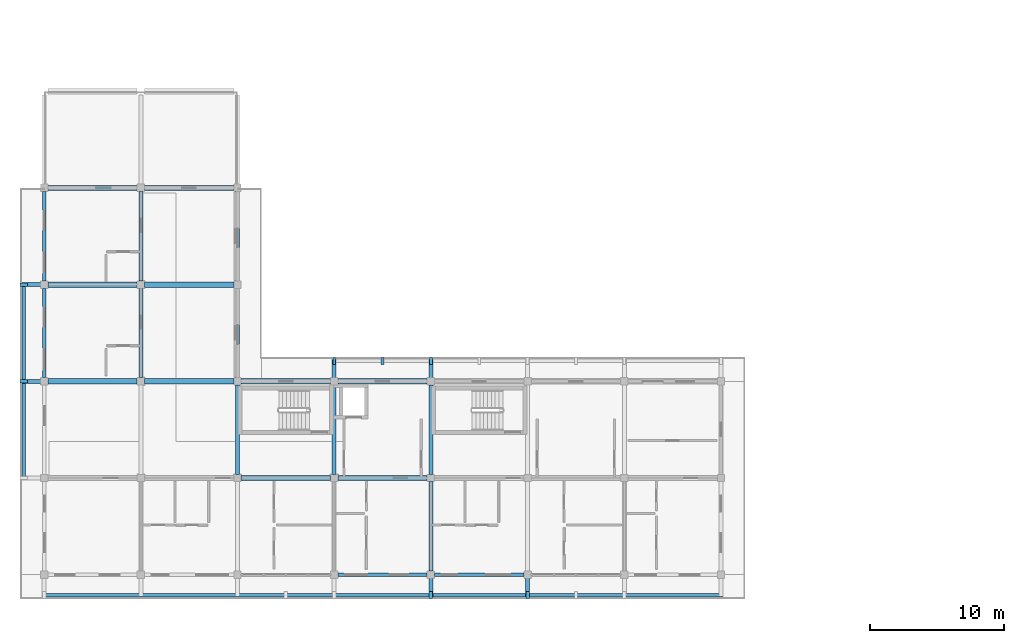
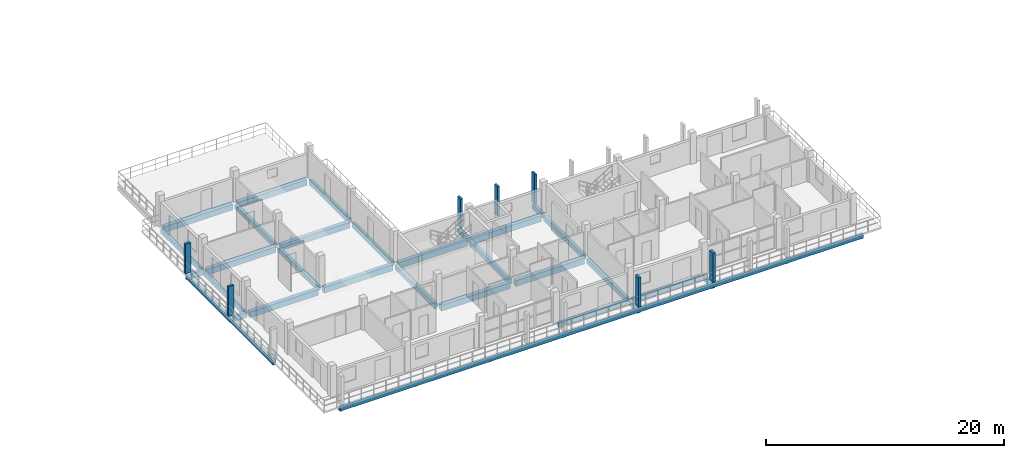
# One storey, part 5 of 67: 30 beams, 7 members.
"""IFC4 building model written with IfcOpenShell, lengths in metres."""

import ifcopenshell
import ifcopenshell.guid

model = None  # the IFC model being written
_history = None  # IfcOwnerHistory: only IFC2X3 demands one
_inside = {}  # id of a spatial element -> (the spatial element, [elements in it])
_under = {}  # id of a project, library or spatial element -> (it, [spatial elements below it])
_declared = {}  # id of a project -> (the project, [libraries it declares])
_typed = {}  # id of a type object -> (the type object, [elements of that type])
_made_of = {}  # id of a material, layer set ... -> (it, [elements and type objects made of it])


def new_model(schema):
    """Start an empty IFC model of exactly this schema.

    Asked for "IFC4X3", IfcOpenShell would pick the latest addendum, in which some entities
    have other attributes; the version numbers below select the first issue.
    IFC2X3 requires an IfcOwnerHistory on every rooted entity: one is made here for all.
    """
    global model, _history
    if schema == "IFC4X3":
        model = ifcopenshell.file(schema_version=(4, 3, 0, 0))
    else:
        model = ifcopenshell.file(schema=schema)
    _inside.clear()
    _under.clear()
    _declared.clear()
    _typed.clear()
    _made_of.clear()
    _history = None
    if model.schema == "IFC2X3":
        org = make("IfcOrganization", Name="unknown")
        user = make(
            "IfcPersonAndOrganization",
            ThePerson=make("IfcPerson", FamilyName="unknown"),
            TheOrganization=org,
        )
        app = make(
            "IfcApplication",
            ApplicationDeveloper=org,
            Version="unknown",
            ApplicationFullName="unknown",
            ApplicationIdentifier="unknown",
        )
        _history = make(
            "IfcOwnerHistory",
            OwningUser=user,
            OwningApplication=app,
            ChangeAction="ADDED",
            CreationDate=0,
        )
    return model


def make(cls, **values):
    """One entity of the class cls with the attributes given. An attribute that is None is left unset."""
    return model.create_entity(
        cls, **{name: value for name, value in values.items() if value is not None}
    )


def rooted(cls, **values):
    """An entity with a GlobalId (a new one), such as an element, a storey or a relation."""
    return make(cls, GlobalId=ifcopenshell.guid.new(), OwnerHistory=_history, **values)


def si_unit(unit_type, name, prefix=None):
    """IfcSIUnit, for example si_unit("LENGTHUNIT", "METRE", prefix="MILLI")."""
    return make("IfcSIUnit", UnitType=unit_type, Prefix=prefix, Name=name)


def assignment(units):
    """IfcUnitAssignment: the units of a project."""
    return None if units is None else make("IfcUnitAssignment", Units=units)


def point(xyz):
    """IfcCartesianPoint."""
    return None if xyz is None else make("IfcCartesianPoint", Coordinates=xyz)


def direction(xyz):
    """IfcDirection."""
    return None if xyz is None else make("IfcDirection", DirectionRatios=xyz)


def frame(location, z_axis=None, x_axis=None):
    """IfcAxis2Placement3D, a coordinate frame: its origin and axes. An axis left out is left unset."""
    return make(
        "IfcAxis2Placement3D",
        Location=point(location),
        Axis=direction(z_axis),
        RefDirection=direction(x_axis),
    )


def frame_2d(location, x_axis=None):
    """IfcAxis2Placement2D, a coordinate frame in the plane: its origin and x axis."""
    return make(
        "IfcAxis2Placement2D", Location=point(location), RefDirection=direction(x_axis)
    )


def origin():
    """The frame at (0, 0, 0) with its axes left unset."""
    return frame((0.0, 0.0, 0.0))


def origin_2d():
    """The frame at (0, 0) in the plane with its x axis left unset."""
    return frame_2d((0.0, 0.0))


def place(relative_to, where):
    """IfcLocalPlacement: puts the frame where relative to a parent placement (None: the world)."""
    return make(
        "IfcLocalPlacement", PlacementRelTo=relative_to, RelativePlacement=where
    )


def context(
    kind, dimensions, precision=None, world=None, true_north=None, identifier=None
):
    """IfcGeometricRepresentationContext, for example the 3D "Model" context."""
    return make(
        "IfcGeometricRepresentationContext",
        ContextIdentifier=identifier,
        ContextType=kind,
        CoordinateSpaceDimension=dimensions,
        Precision=precision,
        WorldCoordinateSystem=world,
        TrueNorth=true_north,
    )


def subcontext(parent, identifier, kind, view, scale=None):
    """IfcGeometricRepresentationSubContext, for example "Body" below "Model"."""
    return make(
        "IfcGeometricRepresentationSubContext",
        ContextIdentifier=identifier,
        ContextType=kind,
        ParentContext=parent,
        TargetScale=scale,
        TargetView=view,
    )


def project(units=None, contexts=None):
    """IfcProject with its units and contexts."""
    return rooted(
        "IfcProject",
        Name="project",
        RepresentationContexts=contexts,
        UnitsInContext=assignment(units),
    )


def spatial(cls, under=None, at=None, **own):
    """A site, building, storey or space (cls), placed at a placement, below another one or the project."""
    s = rooted(cls, ObjectPlacement=at, **own)
    if under is not None:
        _under.setdefault(under.id(), (under, []))[1].append(s)
    return s


def profile(cls, at=None, kind="AREA", **sizes):
    """A parametric profile (cls). Its sizes go by their IFC names, for example OverallWidth=200.0."""
    return make(cls, ProfileType=kind, Position=at, **sizes)


def rectangle(**sizes):
    """IfcRectangleProfileDef."""
    return profile("IfcRectangleProfileDef", **sizes)


def extrude(swept, where, along, depth):
    """IfcExtrudedAreaSolid: the profile swept, set in the frame where, extruded along a direction by depth."""
    return make(
        "IfcExtrudedAreaSolid",
        SweptArea=swept,
        Position=where,
        ExtrudedDirection=direction(along),
        Depth=depth,
    )


def shape(context_of_items, identifier, shape_type, items):
    """IfcShapeRepresentation: the items that make up one representation, for example the "Body"."""
    return make(
        "IfcShapeRepresentation",
        ContextOfItems=context_of_items,
        RepresentationIdentifier=identifier,
        RepresentationType=shape_type,
        Items=items,
    )


def material(Name=None, Category=None):
    """IfcMaterial."""
    return make("IfcMaterial", Name=Name, Category=Category)


def material_profile(
    of_material, cross_section, Name=None, Category=None, Priority=None
):
    """IfcMaterialProfile: a cross section and its material."""
    return make(
        "IfcMaterialProfile",
        Name=Name,
        Material=of_material,
        Profile=cross_section,
        Priority=Priority,
        Category=Category,
    )


def profile_set(profiles, Name=None, composite=None):
    """IfcMaterialProfileSet."""
    return make(
        "IfcMaterialProfileSet",
        Name=Name,
        MaterialProfiles=profiles,
        CompositeProfile=composite,
    )


def made_of(thing, what):
    """Note that an element or type object is made of a material, layer set ...; save() writes the relation."""
    if what is not None:
        _made_of.setdefault(what.id(), (what, []))[1].append(thing)
    return thing


def type_object(cls, material=None, **own):
    """A type object (cls), such as IfcWallType, which elements share."""
    return made_of(rooted(cls, **own), material)


def element(
    cls,
    number,
    at=None,
    inside=None,
    cuts=None,
    type_object=None,
    material=None,
    context=None,
    identifier="Body",
    shape_type=None,
    held_by="IfcProductDefinitionShape",
    body=None,
    shapes=None,
    **own,
):
    """One element of the class cls, such as IfcWall. Its Tag is "e" and its number.

    at: its placement. inside: the storey or other place that contains it. cuts: it is an
    opening in that element (IfcRelVoidsElement). A single representation is given by context,
    identifier, shape_type and body (its items); several are given by shapes. held_by: the class
    of the entity that holds the representations. save() writes the other relations.
    """
    e = rooted(cls, Tag="e%d" % number, ObjectPlacement=at, **own)
    if body is not None:
        shapes = [shape(context, identifier, shape_type, body)]
    if shapes is not None:
        e.Representation = make(held_by, Representations=shapes)
    if inside is not None:
        _inside.setdefault(inside.id(), (inside, []))[1].append(e)
    if cuts is not None:
        rooted(
            "IfcRelVoidsElement", RelatingBuildingElement=cuts, RelatedOpeningElement=e
        )
    if type_object is not None:
        _typed.setdefault(type_object.id(), (type_object, []))[1].append(e)
    return made_of(e, material)


def aggregate(whole, parts):
    """IfcRelAggregates: a whole, such as a stair, and the parts it consists of."""
    return rooted("IfcRelAggregates", RelatingObject=whole, RelatedObjects=parts)


def save(model, path):
    """Write the relations noted so far, then the file.

    IfcRelAggregates (storeys below a building ...), IfcRelContainedInSpatialStructure (elements
    in a storey), IfcRelDefinesByType, IfcRelAssociatesMaterial and IfcRelDeclares: one each for
    every whole, place, type object, material and project.
    """
    for whole, parts in _under.values():
        aggregate(whole, parts)
    for where, things in _inside.values():
        rooted(
            "IfcRelContainedInSpatialStructure",
            RelatedElements=things,
            RelatingStructure=where,
        )
    for kind, things in _typed.values():
        rooted("IfcRelDefinesByType", RelatedObjects=things, RelatingType=kind)
    for what, things in _made_of.values():
        rooted("IfcRelAssociatesMaterial", RelatedObjects=things, RelatingMaterial=what)
    for by, libraries in _declared.values():
        rooted("IfcRelDeclares", RelatingContext=by, RelatedDefinitions=libraries)
    model.write(path)


model = new_model("IFC4")

# Units and contexts
model_context = context("Model", 3, precision=1e-05, world=origin(), true_north=direction((0.0, 1.0)))
body_context = subcontext(model_context, "Body", "Model", "MODEL_VIEW")
ifc_project = project(units=[si_unit("LENGTHUNIT", "METRE"), si_unit("AREAUNIT", "SQUARE_METRE"), si_unit("VOLUMEUNIT", "CUBIC_METRE"), si_unit("PLANEANGLEUNIT", "RADIAN"), si_unit("MASSUNIT", "GRAM", prefix="KILO")], contexts=[model_context])

# Site, building, storey
site_placement = place(None, origin())
site = spatial("IfcSite", under=ifc_project, at=site_placement, CompositionType="ELEMENT")
building_placement = place(site_placement, origin())
building = spatial("IfcBuilding", under=site, at=building_placement, Name="Suanplinth Sawtooth Commons", CompositionType="ELEMENT")
storey_placement = place(building_placement, frame((0.0, 0.0, 25.10009765625)))
storey = spatial("IfcBuildingStorey", under=building, at=storey_placement, Name="L07", CompositionType="ELEMENT", Elevation=25.10009765625)

# Beams
ifc_material_1 = material(Name="Precast concrete C40/50", Category="concrete")
ifc_material_profile_1 = material_profile(ifc_material_1, rectangle(XDim=0.39990234375, YDim=0.60009765625, at=origin_2d()), Name="PC-GDR 400x600")
ifc_profile_set_1 = profile_set([ifc_material_profile_1], Name="Precast concrete C40/50")
beam_type_1 = type_object("IfcBeamType", Name="B-05", PredefinedType="USERDEFINED", material=ifc_profile_set_1)
for number, where, z_axis, x_axis, name in (
    (1, (0.27490234375, 14.39990234375, -0.52001953125), (1.0, 0.0, 0.0), (0.0, 1.0, 0.0), "BMX-L07-D-0-2"),
    (2, (0.27490234375, 21.60009765625, -0.52001953125), (1.0, 0.0, 0.0), (0.0, 1.0, 0.0), "BMX-L07-D-0-3"),
    (3, (0.27490234375, 28.800048828125, -0.52001953125), (1.0, 0.0, 0.0), (0.0, 1.0, 0.0), "BMX-L07-D-0-4"),
):
    element("IfcBeam", number, at=place(storey_placement, frame(where, z_axis=z_axis, x_axis=x_axis)), inside=storey, type_object=beam_type_1, Name=name, ObjectType="GIRDER", PredefinedType="USERDEFINED", context=body_context, shape_type="SweptSolid", body=[
        extrude(rectangle(XDim=0.39990234375, YDim=0.60009765625, at=origin_2d()), origin(), (0.0, 0.0, 1.0), 6.650146484375),
    ])
for number, where, z_axis, x_axis, name in (
    (4, (7.47509765625, 14.39990234375, -0.52001953125), (1.0, 0.0, 0.0), (0.0, 1.0, 0.0), "BMX-L07-D-1-2"),
    (5, (7.47509765625, 21.60009765625, -0.52001953125), (1.0, 0.0, 0.0), (0.0, 1.0, 0.0), "BMX-L07-D-1-3"),
    (6, (7.47509765625, 28.800048828125, -0.52001953125), (1.0, 0.0, 0.0), (0.0, 1.0, 0.0), "BMX-L07-D-1-4"),
    (7, (14.675048828125, 7.199951171875, -0.52001953125), (1.0, 0.0, 0.0), (0.0, 1.0, 0.0), "BMX-L07-D-2-1"),
    (8, (14.675048828125, 14.39990234375, -0.52001953125), (1.0, 0.0, 0.0), (0.0, 1.0, 0.0), "BMX-L07-D-2-2"),
    (9, (21.875, 7.199951171875, -0.52001953125), (1.0, 0.0, 0.0), (0.0, 1.0, 0.0), "BMX-L07-D-3-1"),
    (10, (21.875, 14.39990234375, -0.52001953125), (1.0, 0.0, 0.0), (0.0, 1.0, 0.0), "BMX-L07-D-3-2"),
):
    element("IfcBeam", number, at=place(storey_placement, frame(where, z_axis=z_axis, x_axis=x_axis)), inside=storey, type_object=beam_type_1, Name=name, ObjectType="GIRDER", PredefinedType="USERDEFINED", context=body_context, shape_type="SweptSolid", body=[
        extrude(rectangle(XDim=0.39990234375, YDim=0.60009765625, at=origin_2d()), origin(), (0.0, 0.0, 1.0), 6.64990234375),
    ])
ifc_material_profile_2 = material_profile(ifc_material_1, rectangle(XDim=0.300048828125, YDim=0.5, at=origin_2d()), Name="PC-BM 300x500")
ifc_profile_set_2 = profile_set([ifc_material_profile_2], Name="Precast concrete C40/50")
beam_type_2 = type_object("IfcBeamType", Name="B-07", PredefinedType="BEAM", material=ifc_profile_set_2)
for number, where, z_axis, x_axis, name in (
    (11, (7.199951171875, 14.675048828125, -0.47021484375), (0.0, 1.0, 0.0), (-1.0, 0.0, 0.0), "BMY-L07-D-1-2"),
    (12, (7.199951171875, 21.875, -0.47021484375), (0.0, 1.0, 0.0), (-1.0, 0.0, 0.0), "BMY-L07-D-1-3"),
    (13, (14.39990234375, 7.47509765625, -0.47021484375), (0.0, 1.0, 0.0), (-1.0, 0.0, 0.0), "BMY-L07-D-2-1"),
    (14, (14.39990234375, 14.675048828125, -0.47021484375), (0.0, 1.0, 0.0), (-1.0, 0.0, 0.0), "BMY-L07-D-2-2"),
    (15, (14.39990234375, 21.875, -0.47021484375), (0.0, 1.0, 0.0), (-1.0, 0.0, 0.0), "BMY-L07-D-2-3"),
    (16, (21.60009765625, 7.47509765625, -0.47021484375), (0.0, 1.0, 0.0), (-1.0, 0.0, 0.0), "BMY-L07-D-3-1"),
):
    element("IfcBeam", number, at=place(storey_placement, frame(where, z_axis=z_axis, x_axis=x_axis)), inside=storey, type_object=beam_type_2, Name=name, PredefinedType="BEAM", context=body_context, shape_type="SweptSolid", body=[
        extrude(rectangle(XDim=0.300048828125, YDim=0.5, at=origin_2d()), origin(), (0.0, 0.0, 1.0), 6.64990234375),
    ])
beam_1_placement = place(storey_placement, frame((28.800048828125, 0.27490234375, -0.47021484375), z_axis=(0.0, 1.0, 0.0), x_axis=(-1.0, 0.0, 0.0)))
element("IfcBeam", 17, at=beam_1_placement, inside=storey, type_object=beam_type_2, Name="BMY-L07-D-4-0", PredefinedType="BEAM", context=body_context, shape_type="SweptSolid", body=[
    extrude(rectangle(XDim=0.300048828125, YDim=0.5, at=origin_2d()), origin(), (0.0, 0.0, 1.0), 6.650146484375),
])
beam_2_placement = place(storey_placement, frame((28.800048828125, 7.47509765625, -0.47021484375), z_axis=(0.0, 1.0, 0.0), x_axis=(-1.0, 0.0, 0.0)))
element("IfcBeam", 18, at=beam_2_placement, inside=storey, type_object=beam_type_2, Name="BMY-L07-D-4-1", PredefinedType="BEAM", context=body_context, shape_type="SweptSolid", body=[
    extrude(rectangle(XDim=0.300048828125, YDim=0.5, at=origin_2d()), origin(), (0.0, 0.0, 1.0), 6.64990234375),
])
for number, where, z_axis, x_axis, name in (
    (19, (28.800048828125, 0.0, -0.43017578125), (0.0, -1.0, 0.0), (1.0, 0.0, 0.0), "Balcony Outrigger L07-D-S-4"),
    (20, (36.0, 0.0, -0.43017578125), (0.0, -1.0, 0.0), (1.0, 0.0, 0.0), "Balcony Outrigger L07-D-S-5"),
    (21, (0.0, 14.39990234375, -0.43017578125), (-1.0, 0.0, 0.0), (0.0, -1.0, 0.0), "Balcony Outrigger L07-D-W-2"),
    (22, (0.0, 21.60009765625, -0.43017578125), (-1.0, 0.0, 0.0), (0.0, -1.0, 0.0), "Balcony Outrigger L07-D-W-3"),
):
    element("IfcBeam", number, at=place(storey_placement, frame(where, z_axis=z_axis, x_axis=x_axis)), inside=storey, type_object=beam_type_2, Name=name, PredefinedType="BEAM", context=body_context, shape_type="SweptSolid", body=[
        extrude(rectangle(XDim=0.300048828125, YDim=0.5, at=origin_2d()), origin(), (0.0, 0.0, 1.0), 1.639892578125),
    ])
for number, where, z_axis, x_axis, name in (
    (23, (21.60009765625, 14.39990234375, -0.425048828125), (0.0, 1.0, 0.0), (-1.0, 0.0, 0.0), "Balcony Outrigger L07-D-NC-3"),
    (24, (28.800048828125, 14.39990234375, -0.425048828125), (0.0, 1.0, 0.0), (-1.0, 0.0, 0.0), "Balcony Outrigger L07-D-NC-4"),
):
    element("IfcBeam", number, at=place(storey_placement, frame(where, z_axis=z_axis, x_axis=x_axis)), inside=storey, type_object=beam_type_2, Name=name, PredefinedType="BEAM", context=body_context, shape_type="SweptSolid", body=[
        extrude(rectangle(XDim=0.300048828125, YDim=0.5, at=origin_2d()), origin(), (0.0, 0.0, 1.0), 1.64013671875),
    ])
ifc_material_profile_3 = material_profile(ifc_material_1, rectangle(XDim=0.25, YDim=0.449951171875, at=origin_2d()), Name="PC-SP 250x450")
ifc_profile_set_3 = profile_set([ifc_material_profile_3], Name="Precast concrete C40/50")
beam_type_3 = type_object("IfcBeamType", Name="B-09", PredefinedType="SPANDREL", material=ifc_profile_set_3)
beam_3_placement = place(storey_placement, frame((21.875, 0.0, -0.445068359375), z_axis=(1.0, 0.0, 0.0), x_axis=(0.0, 1.0, 0.0)))
element("IfcBeam", 25, at=beam_3_placement, inside=storey, type_object=beam_type_3, Name="BMX-L07-D-3-0", PredefinedType="SPANDREL", context=body_context, shape_type="SweptSolid", body=[
    extrude(rectangle(XDim=0.25, YDim=0.449951171875, at=origin_2d()), origin(), (0.0, 0.0, 1.0), 6.64990234375),
])
beam_4_placement = place(storey_placement, frame((29.074951171875, 0.0, -0.445068359375), z_axis=(1.0, 0.0, 0.0), x_axis=(0.0, 1.0, 0.0)))
element("IfcBeam", 26, at=beam_4_placement, inside=storey, type_object=beam_type_3, Name="BMX-L07-D-4-0", PredefinedType="SPANDREL", context=body_context, shape_type="SweptSolid", body=[
    extrude(rectangle(XDim=0.25, YDim=0.449951171875, at=origin_2d()), origin(), (0.0, 0.0, 1.0), 6.650146484375),
])
for number, where, z_axis, x_axis, name in (
    (27, (0.0, 14.675048828125, -0.445068359375), (0.0, 1.0, 0.0), (-1.0, 0.0, 0.0), "BMY-L07-D-0-2"),
    (28, (0.0, 21.875, -0.445068359375), (0.0, 1.0, 0.0), (-1.0, 0.0, 0.0), "BMY-L07-D-0-3"),
):
    element("IfcBeam", number, at=place(storey_placement, frame(where, z_axis=z_axis, x_axis=x_axis)), inside=storey, type_object=beam_type_3, Name=name, PredefinedType="SPANDREL", context=body_context, shape_type="SweptSolid", body=[
        extrude(rectangle(XDim=0.25, YDim=0.449951171875, at=origin_2d()), origin(), (0.0, 0.0, 1.0), 6.64990234375),
    ])
beam_5_placement = place(storey_placement, frame((-0.14990234375, -1.52001953125, -0.405029296875), z_axis=(1.0, 0.0, 0.0), x_axis=(0.0, 1.0, 0.0)))
element("IfcBeam", 29, at=beam_5_placement, inside=storey, type_object=beam_type_3, Name="Balcony Edge Fascia L07-D-S", PredefinedType="SPANDREL", context=body_context, shape_type="SweptSolid", body=[
    extrude(rectangle(XDim=0.25, YDim=0.449951171875, at=origin_2d()), origin(), (0.0, 0.0, 1.0), 50.699951171875),
])
beam_6_placement = place(storey_placement, frame((-1.52001953125, 7.050048828125, -0.405029296875), z_axis=(0.0, 1.0, 0.0), x_axis=(-1.0, 0.0, 0.0)))
element("IfcBeam", 30, at=beam_6_placement, inside=storey, type_object=beam_type_3, Name="Balcony Edge Fascia L07-D-W", PredefinedType="SPANDREL", context=body_context, shape_type="SweptSolid", body=[
    extrude(rectangle(XDim=0.25, YDim=0.449951171875, at=origin_2d()), origin(), (0.0, 0.0, 1.0), 14.699951171875),
])

# Members
ifc_material_2 = material(Name="Pigmented precast concrete C40/50", Category="concrete")
ifc_material_profile_4 = material_profile(ifc_material_2, rectangle(XDim=0.25, YDim=0.5400390625, at=origin_2d()), Name="PC-FIN 250x540")
ifc_profile_set_4 = profile_set([ifc_material_profile_4], Name="Pigmented precast concrete C40/50")
member_type_1 = type_object("IfcMemberType", Name="M-11", PredefinedType="USERDEFINED", material=ifc_profile_set_4)
for number, where, z_axis, x_axis, name in (
    (31, (28.800048828125, -1.52001953125, 0.0), (0.0, 0.0, 1.0), (1.0, 0.0, 0.0), "Upright Solar Blade L07-D-S-04"),
    (32, (36.0, -1.52001953125, 0.0), (0.0, 0.0, 1.0), (1.0, 0.0, 0.0), "Upright Solar Blade L07-D-S-05"),
    (33, (-1.52001953125, 14.39990234375, 0.0), (0.0, 0.0, 1.0), (0.0, 1.0, 0.0), "Upright Solar Blade L07-D-W-09"),
    (34, (-1.52001953125, 21.60009765625, 0.0), (0.0, 0.0, 1.0), (0.0, 1.0, 0.0), "Upright Solar Blade L07-D-W-10"),
):
    element("IfcMember", number, at=place(storey_placement, frame(where, z_axis=z_axis, x_axis=x_axis)), inside=storey, type_object=member_type_1, Name=name, ObjectType="SHADING FIN", PredefinedType="USERDEFINED", context=body_context, shape_type="SweptSolid", body=[
        extrude(rectangle(XDim=0.25, YDim=0.5400390625, at=origin_2d()), origin(), (0.0, 0.0, 1.0), 3.02978515625),
    ])
ifc_material_profile_5 = material_profile(ifc_material_2, rectangle(XDim=0.2099609375, YDim=0.52001953125, at=origin_2d()), Name="PC-FIN 210x520")
ifc_profile_set_5 = profile_set([ifc_material_profile_5], Name="Pigmented precast concrete C40/50")
member_type_2 = type_object("IfcMemberType", Name="M-12", PredefinedType="USERDEFINED", material=ifc_profile_set_5)
for number, where, z_axis, x_axis, name in (
    (35, (21.60009765625, 15.919921875, 0.0), (0.0, 0.0, 1.0), (1.0, 0.0, 0.0), "Upright Solar Blade L07-D-NC-11"),
    (36, (25.199951171875, 15.919921875, 0.0), (0.0, 0.0, 1.0), (1.0, 0.0, 0.0), "Upright Solar Blade L07-D-NC-12"),
    (37, (28.800048828125, 15.919921875, 0.0), (0.0, 0.0, 1.0), (1.0, 0.0, 0.0), "Upright Solar Blade L07-D-NC-13"),
):
    element("IfcMember", number, at=place(storey_placement, frame(where, z_axis=z_axis, x_axis=x_axis)), inside=storey, type_object=member_type_2, Name=name, ObjectType="SHADING FIN", PredefinedType="USERDEFINED", context=body_context, shape_type="SweptSolid", body=[
        extrude(rectangle(XDim=0.2099609375, YDim=0.52001953125, at=origin_2d()), origin(), (0.0, 0.0, 1.0), 3.02978515625),
    ])

save(model, "model.ifc")
